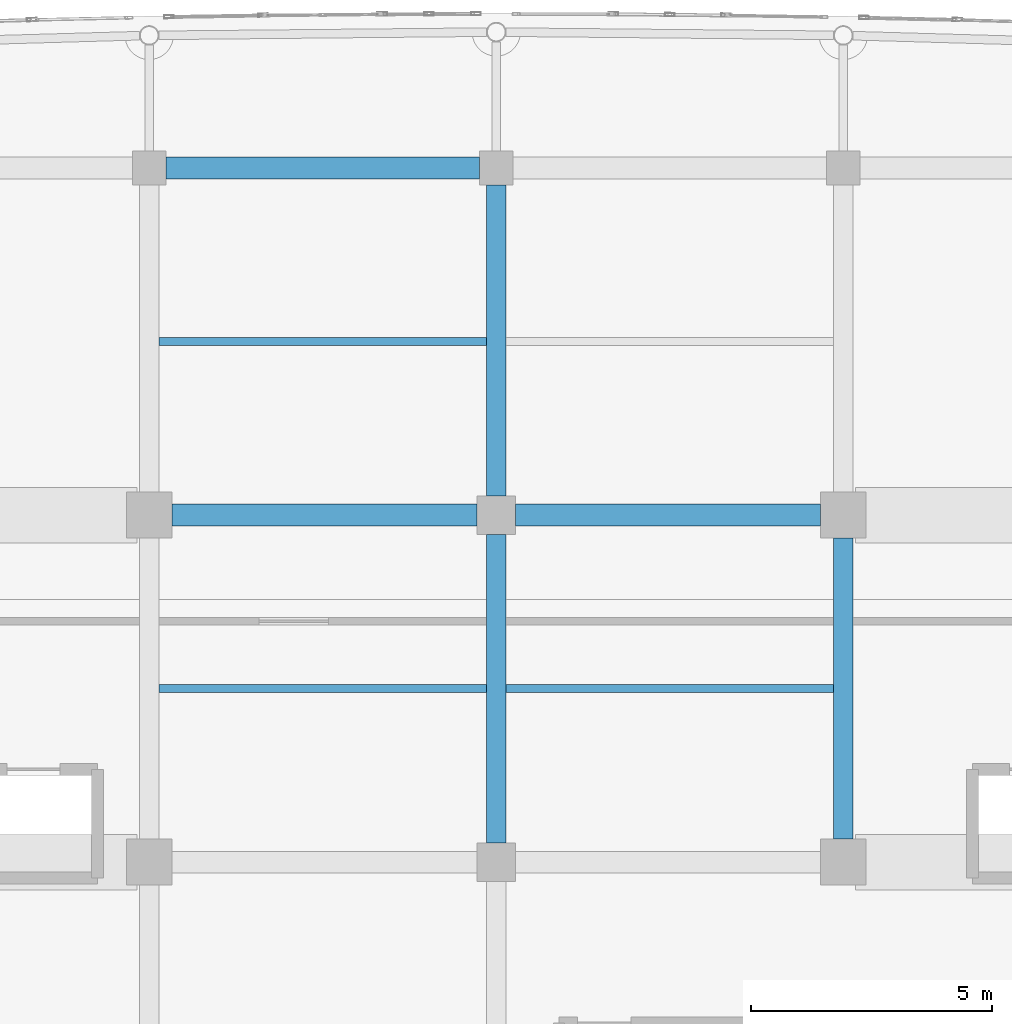
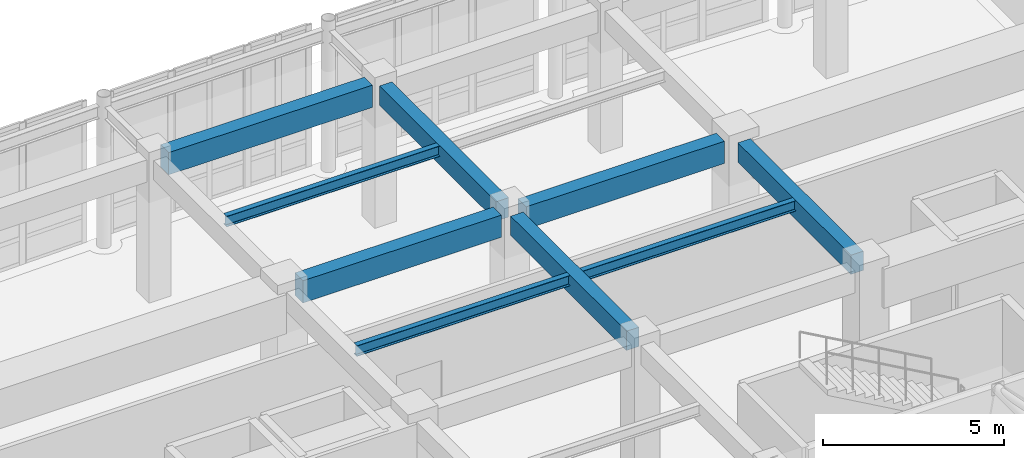
# One storey, part 48 of 117: 9 beams.
"""IFC4 building model written with IfcOpenShell, lengths in metres."""

from ifc_helpers import new_model, si_unit, direction, frame, origin, origin_2d, place, context, subcontext, project, spatial, rectangle, i_section, extrude, material, material_profile, profile_set, type_object, element, save


model = new_model("IFC4")

# Units and contexts
model_context = context("Model", 3, precision=1e-05, world=origin(), true_north=direction((0.0, 1.0)))
body_context = subcontext(model_context, "Body", "Model", "MODEL_VIEW")
ifc_project = project(units=[si_unit("LENGTHUNIT", "METRE"), si_unit("AREAUNIT", "SQUARE_METRE"), si_unit("VOLUMEUNIT", "CUBIC_METRE"), si_unit("PLANEANGLEUNIT", "RADIAN"), si_unit("MASSUNIT", "GRAM", prefix="KILO")], contexts=[model_context])

# Site, building, storey
site_placement = place(None, origin())
site = spatial("IfcSite", under=ifc_project, at=site_placement, CompositionType="ELEMENT")
building_placement = place(site_placement, origin())
building = spatial("IfcBuilding", under=site, at=building_placement, Name="Carrowvane Square Congress Hotel", CompositionType="ELEMENT")
storey_placement = place(building_placement, frame((0.0, 0.0, 5.39990234375)))
storey = spatial("IfcBuildingStorey", under=building, at=storey_placement, Name="L01", CompositionType="ELEMENT", Elevation=5.39990234375)

# Beams
ifc_material_1 = material(Name="Concrete C35/45", Category="concrete")
ifc_material_profile_1 = material_profile(ifc_material_1, rectangle(XDim=0.39990234375, YDim=0.64990234375, at=origin_2d()), Name="RC 400x650")
ifc_profile_set_1 = profile_set([ifc_material_profile_1], Name="Concrete C35/45")
beam_type_1 = type_object("IfcBeamType", Name="BM-RC-400x650", PredefinedType="BEAM", material=ifc_profile_set_1)
beam_1_placement = place(storey_placement, frame((98.0, 99.39990234375, 4.455078125), z_axis=(0.0, 1.0, 0.0), x_axis=(-1.0, 0.0, 0.0)))
element("IfcBeam", 1, at=beam_1_placement, inside=storey, type_object=beam_type_1, Name="L02 girder 13/P-Q", PredefinedType="BEAM", context=body_context, shape_type="SweptSolid", body=[
    extrude(rectangle(XDim=0.39990234375, YDim=0.64990234375, at=origin_2d()), origin(), (0.0, 0.0, 1.0), 6.400146484375),
])
beam_2_placement = place(storey_placement, frame((98.0, 106.60009765625, 4.455078125), z_axis=(0.0, 1.0, 0.0), x_axis=(-1.0, 0.0, 0.0)))
element("IfcBeam", 2, at=beam_2_placement, inside=storey, type_object=beam_type_1, Name="L02 girder 13/Q-R", PredefinedType="BEAM", context=body_context, shape_type="SweptSolid", body=[
    extrude(rectangle(XDim=0.39990234375, YDim=0.64990234375, at=origin_2d()), origin(), (0.0, 0.0, 1.0), 6.449951171875),
])
beam_3_placement = place(storey_placement, frame((105.199951171875, 99.47509765625, 4.455078125), z_axis=(0.0, 1.0, 0.0), x_axis=(-1.0, 0.0, 0.0)))
element("IfcBeam", 3, at=beam_3_placement, inside=storey, type_object=beam_type_1, Name="L02 girder 14/P-Q", PredefinedType="BEAM", context=body_context, shape_type="SweptSolid", body=[
    extrude(rectangle(XDim=0.39990234375, YDim=0.64990234375, at=origin_2d()), origin(), (0.0, 0.0, 1.0), 6.25),
])
ifc_material_2 = material(Name="Concrete C35/45", Category="concrete")
ifc_material_profile_2 = material_profile(ifc_material_2, rectangle(XDim=0.449951171875, YDim=0.75, at=origin_2d()), Name="RC 450x750")
ifc_profile_set_2 = profile_set([ifc_material_profile_2], Name="Concrete C35/45")
beam_type_2 = type_object("IfcBeamType", Name="BM-RC-450x750", PredefinedType="USERDEFINED", material=ifc_profile_set_2)
for number, where, z_axis, x_axis, name in (
    (4, (91.27490234375, 106.199951171875, 4.405029296875), (1.0, 0.0, 0.0), (0.0, 1.0, 0.0), "L02 girder Q/12-13"),
    (5, (98.39990234375, 106.199951171875, 4.405029296875), (1.0, 0.0, 0.0), (0.0, 1.0, 0.0), "L02 girder Q/13-14"),
):
    element("IfcBeam", number, at=place(storey_placement, frame(where, z_axis=z_axis, x_axis=x_axis)), inside=storey, type_object=beam_type_2, Name=name, ObjectType="GIRDER", PredefinedType="USERDEFINED", context=body_context, shape_type="SweptSolid", body=[
        extrude(rectangle(XDim=0.449951171875, YDim=0.75, at=origin_2d()), origin(), (0.0, 0.0, 1.0), 6.3251953125),
    ])
beam_4_placement = place(storey_placement, frame((91.14990234375, 113.39990234375, 4.405029296875), z_axis=(1.0, 0.0, 0.0), x_axis=(0.0, 1.0, 0.0)))
element("IfcBeam", 6, at=beam_4_placement, inside=storey, type_object=beam_type_2, Name="L02 girder R/12-13", ObjectType="GIRDER", PredefinedType="USERDEFINED", context=body_context, shape_type="SweptSolid", body=[
    extrude(rectangle(XDim=0.449951171875, YDim=0.75, at=origin_2d()), origin(), (0.0, 0.0, 1.0), 6.5),
])
ifc_material_3 = material(Name="Steel S355", Category="steel")
ifc_material_profile_3 = material_profile(ifc_material_3, i_section(OverallWidth=0.172119140625, OverallDepth=0.35791015625, WebThickness=0.008056640625, FlangeThickness=0.012939453125, FilletRadius=0.01025390625, at=origin_2d()), Name="UKB 356x171x57")
ifc_profile_set_3 = profile_set([ifc_material_profile_3], Name="Steel S355")
beam_type_3 = type_object("IfcBeamType", Name="BM-ST-UKB356", PredefinedType="JOIST", material=ifc_profile_set_3)
for number, where, z_axis, x_axis, name in (
    (7, (91.0, 102.60009765625, 4.60107421875), (1.0, 0.0, 0.0), (0.0, 1.0, 0.0), "L02 secondary joist 12-13"),
    (8, (91.0, 109.800048828125, 4.60107421875), (1.0, 0.0, 0.0), (0.0, 1.0, 0.0), "L02 secondary joist 12-13"),
    (9, (98.199951171875, 102.60009765625, 4.60107421875), (1.0, 0.0, 0.0), (0.0, 1.0, 0.0), "L02 secondary joist 13-14"),
):
    element("IfcBeam", number, at=place(storey_placement, frame(where, z_axis=z_axis, x_axis=x_axis)), inside=storey, type_object=beam_type_3, Name=name, PredefinedType="JOIST", context=body_context, shape_type="SweptSolid", body=[
        extrude(i_section(OverallWidth=0.172119140625, OverallDepth=0.35791015625, WebThickness=0.008056640625, FlangeThickness=0.012939453125, FilletRadius=0.01025390625, at=origin_2d()), origin(), (0.0, 0.0, 1.0), 6.800048828125),
    ])

save(model, "model.ifc")
